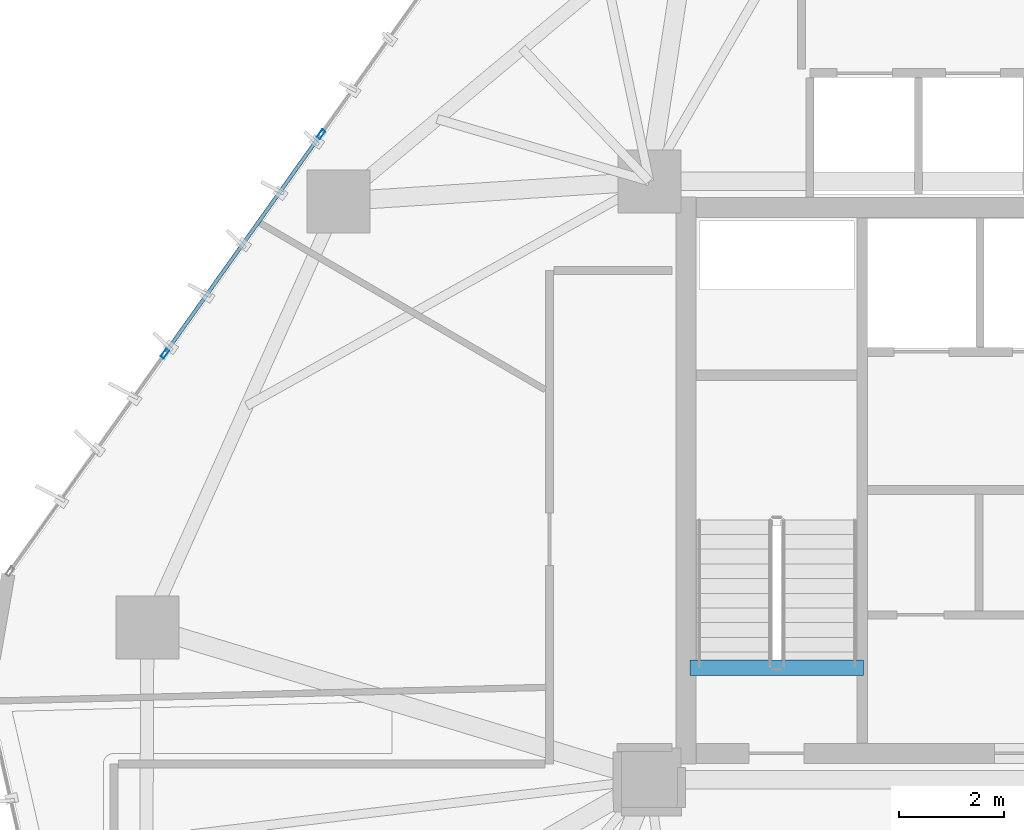
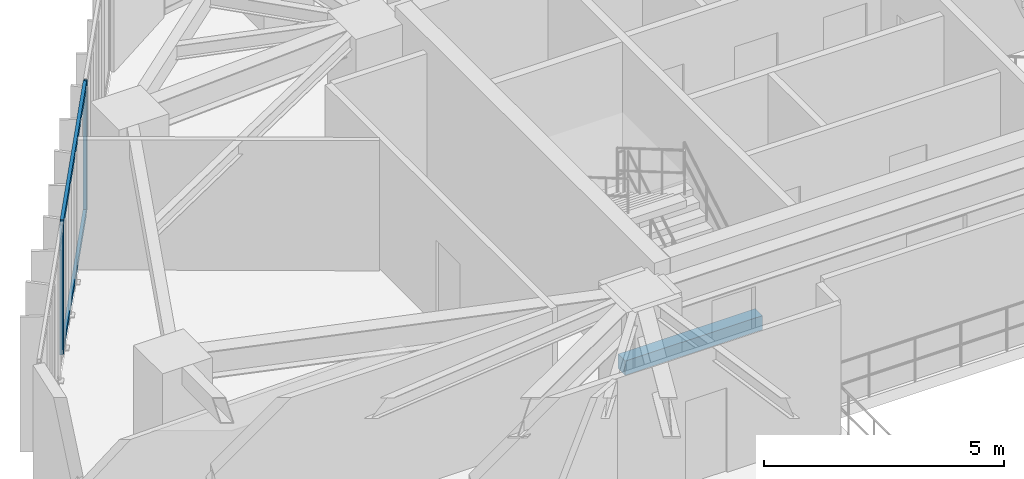
# One storey, part 9 of 22: 4 members, 1 beam, 1 element without a shape of its own.
"""IFC4 building model written with IfcOpenShell, lengths in metres."""

from ifc_helpers import new_model, si_unit, direction, frame, origin, origin_2d, place, context, subcontext, project, spatial, rectangle, hollow_rectangle, extrude, source, transform, mapped, material, layer, layer_set, material_profile, profile_set, type_object, type_shapes, element, aggregate, save


model = new_model("IFC4")

# Units and contexts
model_context = context("Model", 3, precision=1e-05, world=origin(), true_north=direction((0.0, 1.0)))
body_context = subcontext(model_context, "Body", "Model", "MODEL_VIEW")
ifc_project = project(units=[si_unit("LENGTHUNIT", "METRE"), si_unit("AREAUNIT", "SQUARE_METRE"), si_unit("VOLUMEUNIT", "CUBIC_METRE"), si_unit("PLANEANGLEUNIT", "RADIAN"), si_unit("MASSUNIT", "GRAM", prefix="KILO")], contexts=[model_context])

# Site, building, storey
site_placement = place(None, origin())
site = spatial("IfcSite", under=ifc_project, at=site_placement, CompositionType="ELEMENT")
building_placement = place(site_placement, origin())
building = spatial("IfcBuilding", under=site, at=building_placement, Name="Talar Marvaseh", CompositionType="ELEMENT")
storey_placement = place(building_placement, frame((0.0, 0.0, 121.800048828125)))
storey = spatial("IfcBuildingStorey", under=building, at=storey_placement, Name="L31", CompositionType="ELEMENT", Elevation=121.800048828125)

# Beam
ifc_material_1 = material(Name="Concrete C40/50", Category="concrete")
ifc_material_profile_1 = material_profile(ifc_material_1, rectangle(XDim=0.300048828125, YDim=0.360107421875, at=origin_2d()), Name="RC300x360")
ifc_profile_set_1 = profile_set([ifc_material_profile_1], Name="Concrete C40/50")
beam_type = type_object("IfcBeamType", Name="Concrete Stair Landing Trimmer Beam RC300x360", PredefinedType="SPANDREL", material=ifc_profile_set_1)
beam_placement = place(storey_placement, frame((22.780029296875, 27.6298828125, -0.179931640625), z_axis=(-1.0, 0.0, 0.0), x_axis=(0.0, -1.0, 0.0)))
element("IfcBeam", 1, at=beam_placement, inside=storey, type_object=beam_type, Name="L31 ST-1 Stair Nosing Trimmer Beam", PredefinedType="SPANDREL", context=body_context, shape_type="SweptSolid", body=[
    extrude(rectangle(XDim=0.300048828125, YDim=0.360107421875, at=origin_2d()), origin(), (0.0, 0.0, 1.0), 3.300048828125),
])

# Curtain wall, members
ifc_material_2 = material(Name="Architectural Aluminium", Category="aluminium")
ifc_layer = layer(ifc_material_2, 0.199951171875)
ifc_layer_set = layer_set([ifc_layer], Name="Architectural Aluminium")
curtain_wall_type = type_object("IfcCurtainWallType", Name="Unitised Acoustic Library Curtain Wall Z2", PredefinedType="NOTDEFINED", material=ifc_layer_set)
curtain_wall_placement = place(storey_placement, origin())
curtain_wall = element("IfcCurtainWall", 2, at=curtain_wall_placement, inside=storey, type_object=curtain_wall_type, Name="L31 Unitised Acoustic Library Curtain Wall Z2", PredefinedType="NOTDEFINED")
ifc_material_profile_2 = material_profile(ifc_material_2, hollow_rectangle(XDim=0.074951171875, YDim=0.179931640625, WallThickness=0.0048828125, at=origin_2d()), Name="RHS180x75x5")
ifc_profile_set_2 = profile_set([ifc_material_profile_2], Name="Architectural Aluminium")
member_type_1 = type_object("IfcMemberType", Name="Unitised Curtain Wall Standard Mullion RHS180x75x5", PredefinedType="MULLION", material=ifc_profile_set_2)
shared_shape_1 = source(origin(), body_context, "Body", "SweptSolid", [
    extrude(hollow_rectangle(XDim=0.074951171875, YDim=0.179931640625, WallThickness=0.0048828125, at=origin_2d()), origin(), (0.0, 0.0, 1.0), 3.31005859375),
])
type_shapes(member_type_1, [shared_shape_1])
member_1_placement = place(storey_placement, frame((9.47216796875, 33.615478515625, 0.0), z_axis=(0.0, 0.0, 1.0), x_axis=(-0.814803767778, 0.579736854112, 0.0)))
member_1 = element("IfcMember", 3, at=member_1_placement, type_object=member_type_1, Name="CW-Z2 mullion 2", PredefinedType="MULLION", context=body_context, shape_type="MappedRepresentation", body=[
    mapped(shared_shape_1, transform((0.0, 0.0, 0.0), x_axis=(1.0, 0.0, 0.0), y_axis=(0.0, 1.0, 0.0), z_axis=(0.0, 0.0, 1.0), scale=1.0)),
])
member_2_placement = place(storey_placement, frame((12.4462890625, 37.79541015625, 0.0), z_axis=(0.0, 0.0, 1.0), x_axis=(-0.814803767778, 0.579736854112, 0.0)))
member_2 = element("IfcMember", 4, at=member_2_placement, type_object=member_type_1, Name="CW-Z2 mullion 3", PredefinedType="MULLION", context=body_context, shape_type="MappedRepresentation", body=[
    mapped(shared_shape_1, transform((0.0, 0.0, 0.0), x_axis=(1.0, 0.0, 0.0), y_axis=(0.0, 1.0, 0.0), z_axis=(0.0, 0.0, 1.0), scale=1.0)),
])
ifc_material_profile_3 = material_profile(ifc_material_2, hollow_rectangle(XDim=0.074951171875, YDim=0.179931640625, WallThickness=0.0048828125, at=origin_2d()), Name="RHS180x75x5")
ifc_profile_set_3 = profile_set([ifc_material_profile_3], Name="Architectural Aluminium")
member_type_2 = type_object("IfcMemberType", Name="Unitised Curtain Wall Transom RHS180x75x5", PredefinedType="USERDEFINED", material=ifc_profile_set_3)
shared_shape_2 = source(origin(), body_context, "Body", "SweptSolid", [
    extrude(hollow_rectangle(XDim=0.074951171875, YDim=0.179931640625, WallThickness=0.0048828125, at=origin_2d()), origin(), (0.0, 0.0, 1.0), 5.05517578125),
])
type_shapes(member_type_2, [shared_shape_2])
member_3_placement = place(storey_placement, frame((9.493896484375, 33.64599609375, 0.037353515625), z_axis=(0.579743306293, 0.814799176981, 0.0), x_axis=(-0.814799176981, 0.579743306293, 0.0)))
member_3 = element("IfcMember", 5, at=member_3_placement, type_object=member_type_2, Name="CW-Z2 transom 2.1", ObjectType="TRANSOM", PredefinedType="USERDEFINED", context=body_context, shape_type="MappedRepresentation", body=[
    mapped(shared_shape_2, transform((0.0, 0.0, 0.0), x_axis=(1.0, 0.0, 0.0), y_axis=(0.0, 1.0, 0.0), z_axis=(0.0, 0.0, 1.0), scale=1.0)),
])
member_4_placement = place(storey_placement, frame((9.493896484375, 33.64599609375, 3.2724609375), z_axis=(0.579743306293, 0.814799176981, 0.0), x_axis=(-0.814799176981, 0.579743306293, 0.0)))
member_4 = element("IfcMember", 6, at=member_4_placement, type_object=member_type_2, Name="CW-Z2 transom 2.2", ObjectType="TRANSOM", PredefinedType="USERDEFINED", context=body_context, shape_type="MappedRepresentation", body=[
    mapped(shared_shape_2, transform((0.0, 0.0, 0.0), x_axis=(1.0, 0.0, 0.0), y_axis=(0.0, 1.0, 0.0), z_axis=(0.0, 0.0, 1.0), scale=1.0)),
])
aggregate(curtain_wall, [member_1, member_2, member_3, member_4])

save(model, "model.ifc")
